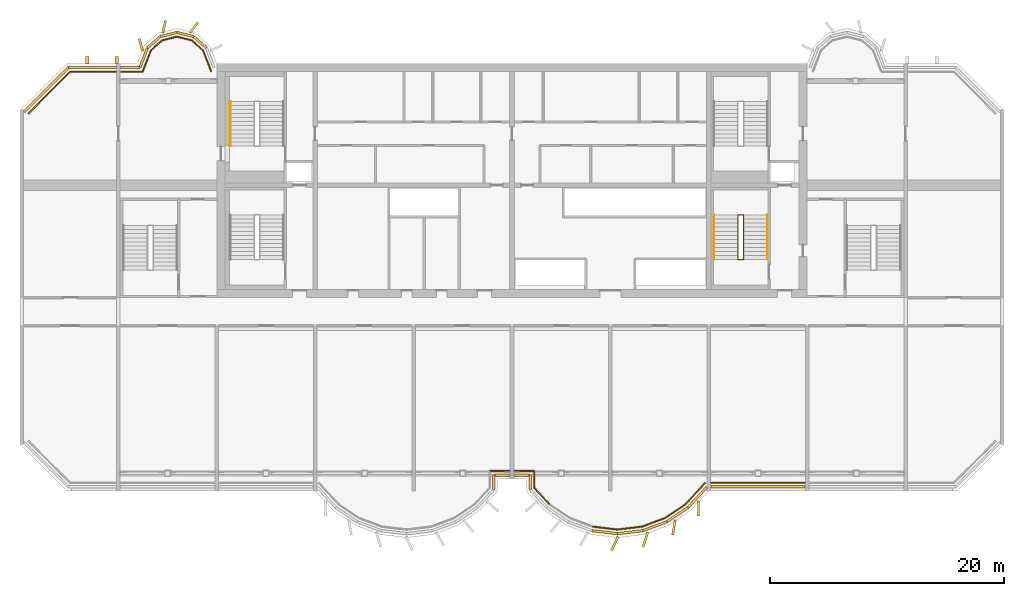
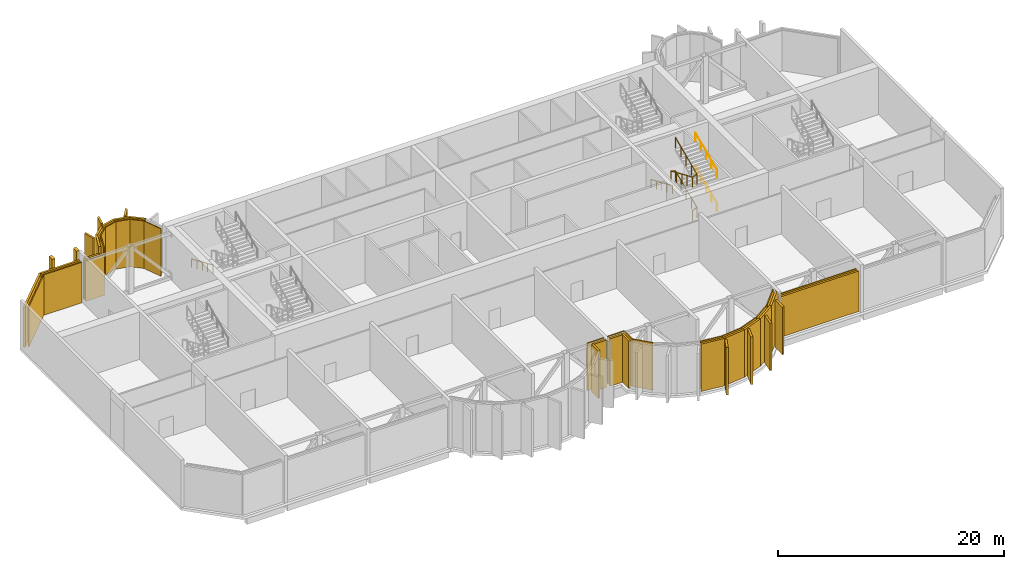
# One storey, part 13 of 15: 28 coverings, 18 shading devices, 5 railings.
"""IFC4 building model written with IfcOpenShell, lengths in metres."""

from ifc_helpers import new_model, si_unit, direction, frame, origin, origin_2d, place, context, subcontext, project, spatial, rectangle, circle, extrude, source, transform, mapped, material, layer, layer_set, material_profile, profile_set, type_object, element, save


model = new_model("IFC4")

# Units and contexts
model_context = context("Model", 3, precision=1e-05, world=origin(), true_north=direction((0.0, 1.0)))
body_context = subcontext(model_context, "Body", "Model", "MODEL_VIEW")
ifc_project = project(units=[si_unit("LENGTHUNIT", "METRE"), si_unit("AREAUNIT", "SQUARE_METRE"), si_unit("VOLUMEUNIT", "CUBIC_METRE"), si_unit("PLANEANGLEUNIT", "RADIAN"), si_unit("MASSUNIT", "GRAM", prefix="KILO")], contexts=[model_context])

# Site, building, storey
site_placement = place(None, origin())
site = spatial("IfcSite", under=ifc_project, at=site_placement, CompositionType="ELEMENT")
building_placement = place(site_placement, origin())
building = spatial("IfcBuilding", under=site, at=building_placement, Name="Vanashikhar Sky Hotel", CompositionType="ELEMENT")
storey_placement = place(building_placement, frame((0.0, 0.0, 201.0)))
storey = spatial("IfcBuildingStorey", under=building, at=storey_placement, Name="L49", CompositionType="ELEMENT", Elevation=201.0)

# Shading devices
ifc_material_1 = material(Name="Aluminium", Category="aluminium")
ifc_layer_1 = layer(ifc_material_1, 0.199951171875)
ifc_layer_set_1 = layer_set([ifc_layer_1], Name="Aluminium louvre band")
shading_device_type = type_object("IfcShadingDeviceType", Name="Aluminium louvre band", PredefinedType="USERDEFINED", material=ifc_layer_set_1)
shared_shape_1 = source(origin(), body_context, "Body", "SweptSolid", [
    extrude(rectangle(XDim=2.1875, YDim=0.199951171875, at=origin_2d()), origin(), (0.0, 0.0, 1.0), 5.1201171875),
])
for number, where, z_axis, x_axis, name in (
    (1, (62.5966796875, 2.4912109375, 0.0), (0.0, 0.0, 1.0), (0.937537254303, 0.347884890149, 0.0), "Louvre band"),
    (2, (64.529541015625, 3.482421875, 0.0), (0.0, 0.0, 1.0), (0.829583722896, 0.558382348132, 0.0), "Louvre band"),
):
    element("IfcShadingDevice", number, at=place(storey_placement, frame(where, z_axis=z_axis, x_axis=x_axis)), inside=storey, type_object=shading_device_type, Name=name, ObjectType="LOUVRE", PredefinedType="USERDEFINED", context=body_context, shape_type="MappedRepresentation", body=[
        mapped(shared_shape_1, transform((0.0, 0.0, 0.0), scale=1.0)),
    ])
shared_shape_2 = source(origin(), body_context, "Body", "SweptSolid", [
    extrude(rectangle(XDim=2.1865234375, YDim=0.199951171875, at=origin_2d()), origin(), (0.0, 0.0, 1.0), 5.1201171875),
])
for number, where, z_axis, x_axis, name in (
    (3, (58.314453125, 1.9814453125, 0.0), (0.0, 0.0, 1.0), (0.993008838731, -0.118040019495, 0.0), "Louvre band"),
    (4, (60.485595703125, 1.9814453125, 0.0), (0.0, 0.0, 1.0), (0.993008838731, 0.118040019495, 0.0), "Louvre band"),
):
    element("IfcShadingDevice", number, at=place(storey_placement, frame(where, z_axis=z_axis, x_axis=x_axis)), inside=storey, type_object=shading_device_type, Name=name, ObjectType="LOUVRE", PredefinedType="USERDEFINED", context=body_context, shape_type="MappedRepresentation", body=[
        mapped(shared_shape_2, transform((0.0, 0.0, 0.0), scale=1.0)),
    ])
shared_shape_3 = source(origin(), body_context, "Body", "SweptSolid", [
    extrude(rectangle(XDim=1.214111328125, YDim=0.199951171875, at=origin_2d()), origin(), (0.0, 0.0, 1.0), 5.1201171875),
])
for number, where, z_axis, x_axis, name in (
    (5, (48.85009765625, 6.242919921875, 0.0), (0.0, 0.0, 1.0), (0.0, 1.0, 0.0), "Louvre band"),
    (6, (51.949951171875, 6.242919921875, 0.0), (0.0, 0.0, 1.0), (0.0, -1.0, 0.0), "Louvre band"),
):
    element("IfcShadingDevice", number, at=place(storey_placement, frame(where, z_axis=z_axis, x_axis=x_axis)), inside=storey, type_object=shading_device_type, Name=name, ObjectType="LOUVRE", PredefinedType="USERDEFINED", context=body_context, shape_type="MappedRepresentation", body=[
        mapped(shared_shape_3, transform((0.0, 0.0, 0.0), scale=1.0)),
    ])
shared_shape_4 = source(origin(), body_context, "Body", "SweptSolid", [
    extrude(rectangle(XDim=1.7900390625, YDim=0.199951171875, at=origin_2d()), origin(), (0.0, 0.0, 1.0), 5.1201171875),
])
shading_device_1_placement = place(storey_placement, frame((18.9609375, 42.485595703125, 0.0), z_axis=(0.0, 0.0, 1.0), x_axis=(-0.35776499493, -0.933811655744, 0.0)))
element("IfcShadingDevice", 7, at=shading_device_1_placement, inside=storey, type_object=shading_device_type, Name="Louvre band", ObjectType="LOUVRE", PredefinedType="USERDEFINED", context=body_context, shape_type="MappedRepresentation", body=[
    mapped(shared_shape_4, transform((0.0, 0.0, 0.0), scale=1.0)),
])
shared_shape_5 = source(origin(), body_context, "Body", "SweptSolid", [
    extrude(rectangle(XDim=1.464599609375, YDim=0.199951171875, at=origin_2d()), origin(), (0.0, 0.0, 1.0), 5.1201171875),
])
for number, where, z_axis, x_axis, name in (
    (8, (23.77001953125, 43.805908203125, 0.0), (0.0, 0.0, 1.0), (-0.749741606437, 0.661730703214, 0.0), "Louvre band"),
    (9, (19.830078125, 43.805908203125, 0.0), (0.0, 0.0, 1.0), (-0.749741606437, -0.661730703214, 0.0), "Louvre band"),
):
    element("IfcShadingDevice", number, at=place(storey_placement, frame(where, z_axis=z_axis, x_axis=x_axis)), inside=storey, type_object=shading_device_type, Name=name, ObjectType="LOUVRE", PredefinedType="USERDEFINED", context=body_context, shape_type="MappedRepresentation", body=[
        mapped(shared_shape_5, transform((0.0, 0.0, 0.0), scale=1.0)),
    ])
shared_shape_6 = source(origin(), body_context, "Body", "SweptSolid", [
    extrude(rectangle(XDim=1.463134765625, YDim=0.199951171875, at=origin_2d()), origin(), (0.0, 0.0, 1.0), 5.1201171875),
])
for number, where, z_axis, x_axis, name in (
    (10, (22.510498046875, 44.465087890625, 0.0), (0.0, 0.0, 1.0), (-0.97113427991, 0.238533457579, 0.0), "Louvre band"),
    (11, (21.089599609375, 44.465087890625, 0.0), (0.0, 0.0, 1.0), (-0.97113427991, -0.238533457579, 0.0), "Louvre band"),
):
    element("IfcShadingDevice", number, at=place(storey_placement, frame(where, z_axis=z_axis, x_axis=x_axis)), inside=storey, type_object=shading_device_type, Name=name, ObjectType="LOUVRE", PredefinedType="USERDEFINED", context=body_context, shape_type="MappedRepresentation", body=[
        mapped(shared_shape_6, transform((0.0, 0.0, 0.0), scale=1.0)),
    ])

# Coverings
ifc_material_2 = material(Name="Concrete M40", Category="concrete")
ifc_layer_2 = layer(ifc_material_2, 0.10009765625)
ifc_layer_set_2 = layer_set([ifc_layer_2], Name="Plant floor cladding panel")
covering_type_1 = type_object("IfcCoveringType", Name="Plant floor cladding panel", PredefinedType="CLADDING", material=ifc_layer_set_2)
shared_shape_7 = source(origin(), body_context, "Body", "SweptSolid", [
    extrude(rectangle(XDim=2.49462890625, YDim=0.10009765625, at=origin_2d()), origin(), (0.0, 0.0, 1.0), 5.1201171875),
])
covering_1_placement = place(storey_placement, frame((66.049560546875, 5.280029296875, 0.0), z_axis=(0.0, 0.0, 1.0), x_axis=(0.675384294604, 0.737465968437, 0.0)))
element("IfcCovering", 12, at=covering_1_placement, inside=storey, type_object=covering_type_1, Name="Plant floor cladding panel", PredefinedType="CLADDING", context=body_context, shape_type="MappedRepresentation", body=[
    mapped(shared_shape_7, transform((0.0, 0.0, 0.0), scale=1.0)),
])
shared_shape_8 = source(origin(), body_context, "Body", "SweptSolid", [
    extrude(rectangle(XDim=2.104248046875, YDim=0.10009765625, at=origin_2d()), origin(), (0.0, 0.0, 1.0), 5.1201171875),
])
covering_2_placement = place(storey_placement, frame((64.333984375, 3.772705078125, 0.0), z_axis=(0.0, 0.0, 1.0), x_axis=(0.829603213612, 0.558353389857, 0.0)))
element("IfcCovering", 13, at=covering_2_placement, inside=storey, type_object=covering_type_1, Name="Plant floor cladding panel", PredefinedType="CLADDING", context=body_context, shape_type="MappedRepresentation", body=[
    mapped(shared_shape_8, transform((0.0, 0.0, 0.0), scale=1.0)),
])
shared_shape_9 = source(origin(), body_context, "Body", "SweptSolid", [
    extrude(rectangle(XDim=2.10400390625, YDim=0.10009765625, at=origin_2d()), origin(), (0.0, 0.0, 1.0), 5.1201171875),
])
covering_3_placement = place(storey_placement, frame((62.474853515625, 2.8193359375, 0.0), z_axis=(0.0, 0.0, 1.0), x_axis=(0.937537254303, 0.347884890149, 0.0)))
element("IfcCovering", 14, at=covering_3_placement, inside=storey, type_object=covering_type_1, Name="Plant floor cladding panel", PredefinedType="CLADDING", context=body_context, shape_type="MappedRepresentation", body=[
    mapped(shared_shape_9, transform((0.0, 0.0, 0.0), scale=1.0)),
])
shared_shape_10 = source(origin(), body_context, "Body", "SweptSolid", [
    extrude(rectangle(XDim=2.103271484375, YDim=0.10009765625, at=origin_2d()), origin(), (0.0, 0.0, 1.0), 5.1201171875),
])
for number, where, z_axis, x_axis, name in (
    (15, (58.355712890625, 2.3291015625, 0.0), (0.0, 0.0, 1.0), (0.993002656809, -0.118092013154, 0.0), "Plant floor cladding panel"),
    (16, (60.4443359375, 2.3291015625, 0.0), (0.0, 0.0, 1.0), (0.993002656809, 0.118092013154, 0.0), "Plant floor cladding panel"),
):
    element("IfcCovering", number, at=place(storey_placement, frame(where, z_axis=z_axis, x_axis=x_axis)), inside=storey, type_object=covering_type_1, Name=name, PredefinedType="CLADDING", context=body_context, shape_type="MappedRepresentation", body=[
        mapped(shared_shape_10, transform((0.0, 0.0, 0.0), scale=1.0)),
    ])
shared_shape_11 = source(origin(), body_context, "Body", "SweptSolid", [
    extrude(rectangle(XDim=1.91455078125, YDim=0.10009765625, at=origin_2d()), origin(), (0.0, 0.0, 1.0), 5.1201171875),
])
covering_4_placement = place(storey_placement, frame((52.946533203125, 5.066162109375, 0.0), z_axis=(0.0, 0.0, 1.0), x_axis=(0.675371423292, -0.737477756004, 0.0)))
element("IfcCovering", 17, at=covering_4_placement, inside=storey, type_object=covering_type_1, Name="Plant floor cladding panel", PredefinedType="CLADDING", context=body_context, shape_type="MappedRepresentation", body=[
    mapped(shared_shape_11, transform((0.0, 0.0, 0.0), scale=1.0)),
])
shared_shape_12 = source(origin(), body_context, "Body", "SweptSolid", [
    extrude(rectangle(XDim=1.427978515625, YDim=0.10009765625, at=origin_2d()), origin(), (0.0, 0.0, 1.0), 5.1201171875),
])
covering_5_placement = place(storey_placement, frame((52.300048828125, 6.486083984375, 0.0), z_axis=(0.0, 0.0, 1.0), x_axis=(0.0, -1.0, 0.0)))
element("IfcCovering", 18, at=covering_5_placement, inside=storey, type_object=covering_type_1, Name="Plant floor cladding panel", PredefinedType="CLADDING", context=body_context, shape_type="MappedRepresentation", body=[
    mapped(shared_shape_12, transform((0.0, 0.0, 0.0), scale=1.0)),
])
shared_shape_13 = source(origin(), body_context, "Body", "SweptSolid", [
    extrude(rectangle(XDim=5.076904296875, YDim=0.10009765625, at=origin_2d()), origin(), (0.0, 0.0, 1.0), 4.3701171875),
])
covering_6_placement = place(storey_placement, frame((10.89501953125, 39.5048828125, 0.0), z_axis=(0.0, 0.0, 1.0), x_axis=(-0.707106781187, -0.707106781187, 0.0)))
element("IfcCovering", 19, at=covering_6_placement, inside=storey, type_object=covering_type_1, Name="Plant floor cladding panel", PredefinedType="CLADDING", context=body_context, shape_type="MappedRepresentation", body=[
    mapped(shared_shape_13, transform((0.0, 0.0, 0.0), scale=1.0)),
])
shared_shape_14 = source(origin(), body_context, "Body", "SweptSolid", [
    extrude(rectangle(XDim=1.944580078125, YDim=0.10009765625, at=origin_2d()), origin(), (0.0, 0.0, 1.0), 5.1201171875),
])
for number, where, z_axis, x_axis, name in (
    (20, (24.37060546875, 42.2080078125, 0.0), (0.0, 0.0, 1.0), (-0.357781292963, 0.933805411425, 0.0), "Plant floor cladding panel"),
    (21, (19.229248046875, 42.2080078125, 0.0), (0.0, 0.0, 1.0), (-0.357781292963, -0.933805411425, 0.0), "Plant floor cladding panel"),
):
    element("IfcCovering", number, at=place(storey_placement, frame(where, z_axis=z_axis, x_axis=x_axis)), inside=storey, type_object=covering_type_1, Name=name, PredefinedType="CLADDING", context=body_context, shape_type="MappedRepresentation", body=[
        mapped(shared_shape_14, transform((0.0, 0.0, 0.0), scale=1.0)),
    ])
shared_shape_15 = source(origin(), body_context, "Body", "SweptSolid", [
    extrude(rectangle(XDim=1.29248046875, YDim=0.10009765625, at=origin_2d()), origin(), (0.0, 0.0, 1.0), 5.1201171875),
])
for number, where, z_axis, x_axis, name in (
    (22, (23.538330078125, 43.543701171875, 0.0), (0.0, 0.0, 1.0), (-0.749683856685, 0.661796127993, 0.0), "Plant floor cladding panel"),
    (23, (20.061767578125, 43.543701171875, 0.0), (0.0, 0.0, 1.0), (-0.749683856685, -0.661796127993, 0.0), "Plant floor cladding panel"),
):
    element("IfcCovering", number, at=place(storey_placement, frame(where, z_axis=z_axis, x_axis=x_axis)), inside=storey, type_object=covering_type_1, Name=name, PredefinedType="CLADDING", context=body_context, shape_type="MappedRepresentation", body=[
        mapped(shared_shape_15, transform((0.0, 0.0, 0.0), scale=1.0)),
    ])
shared_shape_16 = source(origin(), body_context, "Body", "SweptSolid", [
    extrude(rectangle(XDim=1.291015625, YDim=0.10009765625, at=origin_2d()), origin(), (0.0, 0.0, 1.0), 5.1201171875),
])
for number, where, z_axis, x_axis, name in (
    (24, (22.427001953125, 44.125244140625, 0.0), (0.0, 0.0, 1.0), (-0.97115093032, 0.238465659035, 0.0), "Plant floor cladding panel"),
    (25, (21.173095703125, 44.125244140625, 0.0), (0.0, 0.0, 1.0), (-0.97115093032, -0.238465659035, 0.0), "Plant floor cladding panel"),
):
    element("IfcCovering", number, at=place(storey_placement, frame(where, z_axis=z_axis, x_axis=x_axis)), inside=storey, type_object=covering_type_1, Name=name, PredefinedType="CLADDING", context=body_context, shape_type="MappedRepresentation", body=[
        mapped(shared_shape_16, transform((0.0, 0.0, 0.0), scale=1.0)),
    ])
ifc_material_3 = material(Name="Concrete M60 dark", Category="concrete")
ifc_material_profile_1 = material_profile(ifc_material_3, rectangle(XDim=1.10009765625, YDim=0.199951171875, at=origin_2d()))
ifc_profile_set_1 = profile_set([ifc_material_profile_1], Name="Rear lobe fin 1100 x 200")
covering_type_2 = type_object("IfcCoveringType", Name="Rear lobe fin 1100 x 200", PredefinedType="CLADDING", material=ifc_profile_set_1)
shared_shape_17 = source(origin(), body_context, "Body", "SweptSolid", [
    extrude(rectangle(XDim=1.10009765625, YDim=0.199951171875, at=origin_2d()), origin(), (0.0, 0.0, 1.0), 5.1201171875),
])
for number, where, z_axis, x_axis, name in (
    (26, (18.720703125, 43.580078125, 0.0), (0.0, 0.0, 1.0), (-0.262711264409, 0.964874495234, 0.0), "Fin R1-1"),
    (27, (20.710205078125, 45.1455078125, 0.0), (0.0, 0.0, 1.0), (0.224644935864, 0.974440687159, 0.0), "Fin R1-2"),
    (28, (23.261962890625, 45.06640625, 0.0), (0.0, 0.0, 1.0), (0.602065892195, 0.798446404874, 0.0), "Fin R1-3"),
):
    element("IfcCovering", number, at=place(storey_placement, frame(where, z_axis=z_axis, x_axis=x_axis)), inside=storey, type_object=covering_type_2, Name=name, PredefinedType="CLADDING", context=body_context, shape_type="MappedRepresentation", body=[
        mapped(shared_shape_17, transform((0.0, 0.0, 0.0), scale=1.0)),
    ])
ifc_material_profile_2 = material_profile(ifc_material_3, rectangle(XDim=1.300048828125, YDim=0.199951171875, at=origin_2d()))
ifc_profile_set_2 = profile_set([ifc_material_profile_2], Name="Fin 1300 x 200")
covering_type_3 = type_object("IfcCoveringType", Name="Fin 1300 x 200", PredefinedType="CLADDING", material=ifc_profile_set_2)
shared_shape_18 = source(origin(), body_context, "Body", "SweptSolid", [
    extrude(rectangle(XDim=1.300048828125, YDim=0.199951171875, at=origin_2d()), origin(), (0.0, 0.0, 1.0), 5.1201171875),
])
for number, where, z_axis, x_axis, name in (
    (29, (59.16748046875, 1.00146484375, 0.0), (0.0, 0.0, 1.0), (-0.422618261741, -0.906307787037, 0.0), "Fin F2-4"),
    (30, (61.790771484375, 1.35693359375, 0.0), (0.0, 0.0, 1.0), (-0.303966551867, -0.952682704444, 0.0), "Fin F2-5"),
    (31, (64.2275390625, 2.3779296875, 0.0), (0.0, 0.0, 1.0), (-0.16989991575, -0.985461322746, 0.0), "Fin F2-6"),
    (32, (66.317626953125, 3.992919921875, 0.0), (0.0, 0.0, 1.0), (-0.011588726826, -0.999932848451, 0.0), "Fin F2-7"),
):
    element("IfcCovering", number, at=place(storey_placement, frame(where, z_axis=z_axis, x_axis=x_axis)), inside=storey, type_object=covering_type_3, Name=name, PredefinedType="CLADDING", context=body_context, shape_type="MappedRepresentation", body=[
        mapped(shared_shape_18, transform((0.0, 0.0, 0.0), scale=1.0)),
    ])

# Shading devices
shared_shape_19 = source(origin(), body_context, "Body", "SweptSolid", [
    extrude(rectangle(XDim=4.074951171875, YDim=0.199951171875, at=origin_2d()), origin(), (0.0, 0.0, 1.0), 4.3701171875),
])
shading_device_2_placement = place(storey_placement, frame((14.58251953125, 41.64990234375, 0.0), z_axis=(0.0, 0.0, 1.0), x_axis=(-1.0, 0.0, 0.0)))
element("IfcShadingDevice", 33, at=shading_device_2_placement, inside=storey, type_object=shading_device_type, Name="Louvre band", ObjectType="LOUVRE", PredefinedType="USERDEFINED", context=body_context, shape_type="MappedRepresentation", body=[
    mapped(shared_shape_19, transform((0.0, 0.0, 0.0), scale=1.0)),
])
shared_shape_20 = source(origin(), body_context, "Body", "SweptSolid", [
    extrude(rectangle(XDim=8.0400390625, YDim=0.199951171875, at=origin_2d()), origin(), (0.0, 0.0, 1.0), 4.3701171875),
])
shading_device_3_placement = place(storey_placement, frame((71.39990234375, 5.85009765625, 0.0), z_axis=(0.0, 0.0, 1.0), x_axis=(1.0, 0.0, 0.0)))
element("IfcShadingDevice", 34, at=shading_device_3_placement, inside=storey, type_object=shading_device_type, Name="Louvre band", ObjectType="LOUVRE", PredefinedType="USERDEFINED", context=body_context, shape_type="MappedRepresentation", body=[
    mapped(shared_shape_20, transform((0.0, 0.0, 0.0), scale=1.0)),
])
shared_shape_21 = source(origin(), body_context, "Body", "SweptSolid", [
    extrude(rectangle(XDim=2.343994140625, YDim=0.199951171875, at=origin_2d()), origin(), (0.0, 0.0, 1.0), 5.1201171875),
])
shading_device_4_placement = place(storey_placement, frame((66.228515625, 4.95751953125, 0.0), z_axis=(0.0, 0.0, 1.0), x_axis=(0.675358551774, 0.737489543347, 0.0)))
element("IfcShadingDevice", 35, at=shading_device_4_placement, inside=storey, type_object=shading_device_type, Name="Louvre band", ObjectType="LOUVRE", PredefinedType="USERDEFINED", context=body_context, shape_type="MappedRepresentation", body=[
    mapped(shared_shape_21, transform((0.0, 0.0, 0.0), scale=1.0)),
])
shared_shape_22 = source(origin(), body_context, "Body", "SweptSolid", [
    extrude(rectangle(XDim=1.3701171875, YDim=0.199951171875, at=origin_2d()), origin(), (0.0, 0.0, 1.0), 5.1201171875),
])
for number, where, z_axis, x_axis, name in (
    (36, (49.534912109375, 6.85009765625, 0.0), (0.0, 0.0, 1.0), (1.0, 0.0, 0.0), "Louvre band"),
    (37, (51.264892578125, 6.85009765625, 0.0), (0.0, 0.0, 1.0), (1.0, 0.0, 0.0), "Louvre band"),
):
    element("IfcShadingDevice", number, at=place(storey_placement, frame(where, z_axis=z_axis, x_axis=x_axis)), inside=storey, type_object=shading_device_type, Name=name, ObjectType="LOUVRE", PredefinedType="USERDEFINED", context=body_context, shape_type="MappedRepresentation", body=[
        mapped(shared_shape_22, transform((0.0, 0.0, 0.0), scale=1.0)),
    ])
shared_shape_23 = source(origin(), body_context, "Body", "SweptSolid", [
    extrude(rectangle(XDim=5.366943359375, YDim=0.199951171875, at=origin_2d()), origin(), (0.0, 0.0, 1.0), 4.3701171875),
])
shading_device_5_placement = place(storey_placement, frame((10.6474609375, 39.75244140625, 0.0), z_axis=(0.0, 0.0, 1.0), x_axis=(-0.707106781187, -0.707106781187, 0.0)))
element("IfcShadingDevice", 38, at=shading_device_5_placement, inside=storey, type_object=shading_device_type, Name="Louvre band", ObjectType="LOUVRE", PredefinedType="USERDEFINED", context=body_context, shape_type="MappedRepresentation", body=[
    mapped(shared_shape_23, transform((0.0, 0.0, 0.0), scale=1.0)),
])
shared_shape_24 = source(origin(), body_context, "Body", "SweptSolid", [
    extrude(rectangle(XDim=1.66064453125, YDim=0.199951171875, at=origin_2d()), origin(), (0.0, 0.0, 1.0), 4.3701171875),
])
shading_device_6_placement = place(storey_placement, frame((17.810302734375, 41.64990234375, 0.0), z_axis=(0.0, 0.0, 1.0), x_axis=(-1.0, 0.0, 0.0)))
element("IfcShadingDevice", 39, at=shading_device_6_placement, inside=storey, type_object=shading_device_type, Name="Louvre band", ObjectType="LOUVRE", PredefinedType="USERDEFINED", context=body_context, shape_type="MappedRepresentation", body=[
    mapped(shared_shape_24, transform((0.0, 0.0, 0.0), scale=1.0)),
])

# Coverings
shared_shape_25 = source(origin(), body_context, "Body", "SweptSolid", [
    extrude(rectangle(XDim=3.93017578125, YDim=0.10009765625, at=origin_2d()), origin(), (0.0, 0.0, 1.0), 4.3701171875),
])
covering_7_placement = place(storey_placement, frame((14.65478515625, 41.300048828125, 0.0), z_axis=(0.0, 0.0, 1.0), x_axis=(-1.0, 0.0, 0.0)))
element("IfcCovering", 40, at=covering_7_placement, inside=storey, type_object=covering_type_1, Name="Plant floor cladding panel", PredefinedType="CLADDING", context=body_context, shape_type="MappedRepresentation", body=[
    mapped(shared_shape_25, transform((0.0, 0.0, 0.0), scale=1.0)),
])
shared_shape_26 = source(origin(), body_context, "Body", "SweptSolid", [
    extrude(rectangle(XDim=8.0400390625, YDim=0.10009765625, at=origin_2d()), origin(), (0.0, 0.0, 1.0), 4.3701171875),
])
covering_8_placement = place(storey_placement, frame((71.39990234375, 6.199951171875, 0.0), z_axis=(0.0, 0.0, 1.0), x_axis=(1.0, 0.0, 0.0)))
element("IfcCovering", 41, at=covering_8_placement, inside=storey, type_object=covering_type_1, Name="Plant floor cladding panel", PredefinedType="CLADDING", context=body_context, shape_type="MappedRepresentation", body=[
    mapped(shared_shape_26, transform((0.0, 0.0, 0.0), scale=1.0)),
])
shared_shape_27 = source(origin(), body_context, "Body", "SweptSolid", [
    extrude(rectangle(XDim=1.719970703125, YDim=0.10009765625, at=origin_2d()), origin(), (0.0, 0.0, 1.0), 5.1201171875),
])
for number, where, z_axis, x_axis, name in (
    (42, (49.360107421875, 7.199951171875, 0.0), (0.0, 0.0, 1.0), (1.0, 0.0, 0.0), "Plant floor cladding panel"),
    (43, (51.43994140625, 7.199951171875, 0.0), (0.0, 0.0, 1.0), (1.0, 0.0, 0.0), "Plant floor cladding panel"),
):
    element("IfcCovering", number, at=place(storey_placement, frame(where, z_axis=z_axis, x_axis=x_axis)), inside=storey, type_object=covering_type_1, Name=name, PredefinedType="CLADDING", context=body_context, shape_type="MappedRepresentation", body=[
        mapped(shared_shape_27, transform((0.0, 0.0, 0.0), scale=1.0)),
    ])
shared_shape_28 = source(origin(), body_context, "Body", "SweptSolid", [
    extrude(rectangle(XDim=1.9013671875, YDim=0.10009765625, at=origin_2d()), origin(), (0.0, 0.0, 1.0), 4.3701171875),
])
covering_9_placement = place(storey_placement, frame((17.9306640625, 41.300048828125, 0.0), z_axis=(0.0, 0.0, 1.0), x_axis=(-1.0, 0.0, 0.0)))
element("IfcCovering", 44, at=covering_9_placement, inside=storey, type_object=covering_type_1, Name="Plant floor cladding panel", PredefinedType="CLADDING", context=body_context, shape_type="MappedRepresentation", body=[
    mapped(shared_shape_28, transform((0.0, 0.0, 0.0), scale=1.0)),
])
ifc_material_profile_3 = material_profile(ifc_material_3, rectangle(XDim=0.60009765625, YDim=0.300048828125, at=origin_2d()))
ifc_profile_set_3 = profile_set([ifc_material_profile_3], Name="Rear rib 600 x 300")
covering_type_4 = type_object("IfcCoveringType", Name="Rear rib 600 x 300", PredefinedType="CLADDING", material=ifc_profile_set_3)
shared_shape_29 = source(origin(), body_context, "Body", "SweptSolid", [
    extrude(rectangle(XDim=0.60009765625, YDim=0.300048828125, at=origin_2d()), origin(), (0.0, 0.0, 1.0), 5.400146484375),
])
for number, where, z_axis, x_axis, name in (
    (45, (14.14990234375, 42.300048828125, -0.280029296875), (0.0, 0.0, 1.0), (0.0, 1.0, 0.0), "Rear rib"),
    (46, (16.64990234375, 42.300048828125, -0.280029296875), (0.0, 0.0, 1.0), (0.0, 1.0, 0.0), "Rear rib"),
):
    element("IfcCovering", number, at=place(storey_placement, frame(where, z_axis=z_axis, x_axis=x_axis)), inside=storey, type_object=covering_type_4, Name=name, PredefinedType="CLADDING", context=body_context, shape_type="MappedRepresentation", body=[
        mapped(shared_shape_29, transform((0.0, 0.0, 0.0), scale=1.0)),
    ])

# Railings
ifc_material_4 = material(Name="Steel S355", Category="steel")
railing_type_1 = type_object("IfcRailingType", Name="Stair handrail 900", PredefinedType="HANDRAIL", material=ifc_material_4)
shared_shape_30 = source(origin(), body_context, "Body", "SweptSolid", [
    extrude(circle(Radius=0.02392578125, at=origin_2d()), frame((0.0, 0.0, 0.8759765625), z_axis=(0.0, -0.917250781605, 0.398310185215), x_axis=(1.0, 0.0, 0.0)), (0.0, 0.0, 1.0), 4.142822265625),
    extrude(circle(Radius=0.02099609375, at=origin_2d()), origin(), (0.0, 0.0, 1.0), 0.851806640625),
    extrude(circle(Radius=0.02099609375, at=origin_2d()), frame((0.0, -0.949951171875, 0.41259765625)), (0.0, 0.0, 1.0), 0.851806640625),
    extrude(circle(Radius=0.02099609375, at=origin_2d()), frame((0.0, -1.89990234375, 0.8251953125)), (0.0, 0.0, 1.0), 0.851806640625),
    extrude(circle(Radius=0.02099609375, at=origin_2d()), frame((0.0, -2.85009765625, 1.237548828125)), (0.0, 0.0, 1.0), 0.851806640625),
    extrude(circle(Radius=0.02099609375, at=origin_2d()), frame((0.0, -3.800048828125, 1.650146484375)), (0.0, 0.0, 1.0), 0.851806640625),
])
for number, where, name in (
    (47, (67.64990234375, 29.050048828125, 1.949951171875), "Exit stair 2 handrail"),
    (48, (26.35009765625, 38.75, 1.949951171875), "Exit stair 5 handrail"),
):
    element("IfcRailing", number, at=place(storey_placement, frame(where)), inside=storey, type_object=railing_type_1, Name=name, PredefinedType="HANDRAIL", context=body_context, shape_type="MappedRepresentation", body=[
        mapped(shared_shape_30, transform((0.0, 0.0, 0.0), scale=1.0)),
    ])
shared_shape_31 = source(origin(), body_context, "Body", "SweptSolid", [
    extrude(circle(Radius=0.02392578125, at=origin_2d()), frame((0.0, 0.0, 0.8759765625), z_axis=(0.0, 0.917250781605, 0.398310185215), x_axis=(-1.0, 0.0, 0.0)), (0.0, 0.0, 1.0), 4.142822265625),
    extrude(circle(Radius=0.02099609375, at=origin_2d()), origin(), (0.0, 0.0, 1.0), 0.851806640625),
    extrude(circle(Radius=0.02099609375, at=origin_2d()), frame((0.0, 0.949951171875, 0.41259765625)), (0.0, 0.0, 1.0), 0.851806640625),
    extrude(circle(Radius=0.02099609375, at=origin_2d()), frame((0.0, 1.89990234375, 0.8251953125)), (0.0, 0.0, 1.0), 0.851806640625),
    extrude(circle(Radius=0.02099609375, at=origin_2d()), frame((0.0, 2.85009765625, 1.237548828125)), (0.0, 0.0, 1.0), 0.851806640625),
    extrude(circle(Radius=0.02099609375, at=origin_2d()), frame((0.0, 3.800048828125, 1.650146484375)), (0.0, 0.0, 1.0), 0.851806640625),
])
railing_1_placement = place(storey_placement, frame((72.199951171875, 25.25, 0.14990234375)))
element("IfcRailing", 49, at=railing_1_placement, inside=storey, type_object=railing_type_1, Name="Exit stair 2 handrail", PredefinedType="HANDRAIL", context=body_context, shape_type="MappedRepresentation", body=[
    mapped(shared_shape_31, transform((0.0, 0.0, 0.0), scale=1.0)),
])
shared_shape_32 = source(origin(), body_context, "Body", "SweptSolid", [
    extrude(circle(Radius=0.02392578125, at=origin_2d()), frame((0.0, 0.0, 0.8759765625), z_axis=(0.0, 0.91727231099, 0.398260602484), x_axis=(-1.0, 0.0, 0.0)), (0.0, 0.0, 1.0), 4.142822265625),
    extrude(circle(Radius=0.02099609375, at=origin_2d()), origin(), (0.0, 0.0, 1.0), 0.851806640625),
    extrude(circle(Radius=0.02099609375, at=origin_2d()), frame((0.0, 0.949951171875, 0.41259765625)), (0.0, 0.0, 1.0), 0.851806640625),
    extrude(circle(Radius=0.02099609375, at=origin_2d()), frame((0.0, 1.89990234375, 0.824951171875)), (0.0, 0.0, 1.0), 0.851806640625),
    extrude(circle(Radius=0.02099609375, at=origin_2d()), frame((0.0, 2.85009765625, 1.2373046875)), (0.0, 0.0, 1.0), 0.851806640625),
    extrude(circle(Radius=0.02099609375, at=origin_2d()), frame((0.0, 3.800048828125, 1.64990234375)), (0.0, 0.0, 1.0), 0.851806640625),
])
railing_2_placement = place(storey_placement, frame((72.199951171875, 25.25, 3.75)))
element("IfcRailing", 50, at=railing_2_placement, inside=storey, type_object=railing_type_1, Name="Exit stair 2 handrail", PredefinedType="HANDRAIL", context=body_context, shape_type="MappedRepresentation", body=[
    mapped(shared_shape_32, transform((0.0, 0.0, 0.0), scale=1.0)),
])
railing_type_2 = type_object("IfcRailingType", Name="Stair guard 1100", PredefinedType="GUARDRAIL", material=ifc_material_4)
shared_shape_33 = source(origin(), body_context, "Body", "SweptSolid", [
    extrude(circle(Radius=0.02392578125, at=origin_2d()), frame((0.0, 0.0, 1.076171875), z_axis=(0.948734763221, 0.0, 0.316073328604), x_axis=(0.0, 1.0, 0.0)), (0.0, 0.0, 1.0), 0.474365234375),
    extrude(circle(Radius=0.02392578125, at=origin_2d()), frame((0.449951171875, 0.0, 1.22607421875), z_axis=(0.0, 0.917250781605, 0.398310185215), x_axis=(-1.0, 0.0, 0.0)), (0.0, 0.0, 1.0), 4.142822265625),
    extrude(circle(Radius=0.02392578125, at=origin_2d()), frame((0.449951171875, 3.800048828125, 2.8759765625), z_axis=(-0.948734763221, 0.0, 0.316073328604), x_axis=(0.0, -1.0, 0.0)), (0.0, 0.0, 1.0), 0.474365234375),
    extrude(circle(Radius=0.02392578125, at=origin_2d()), frame((0.0, 3.800048828125, 3.02587890625), z_axis=(0.0, -0.917250781605, 0.398310185215), x_axis=(1.0, 0.0, 0.0)), (0.0, 0.0, 1.0), 4.142822265625),
    extrude(circle(Radius=0.02392578125, at=origin_2d()), frame((0.0, 0.0, 4.67626953125), z_axis=(0.948734763221, 0.0, 0.316073328604), x_axis=(0.0, 1.0, 0.0)), (0.0, 0.0, 1.0), 0.474365234375),
    extrude(circle(Radius=0.02392578125, at=origin_2d()), frame((0.449951171875, 0.0, 4.826171875), z_axis=(0.0, 0.91727231099, 0.398260602484), x_axis=(-1.0, 0.0, 0.0)), (0.0, 0.0, 1.0), 4.142822265625),
    extrude(circle(Radius=0.02099609375, at=origin_2d()), origin(), (0.0, 0.0, 1.0), 1.052001953125),
    extrude(circle(Radius=0.02099609375, at=origin_2d()), frame((0.449951171875, 0.0, 0.14990234375)), (0.0, 0.0, 1.0), 1.052001953125),
    extrude(circle(Radius=0.02099609375, at=origin_2d()), frame((0.449951171875, 0.949951171875, 0.5625)), (0.0, 0.0, 1.0), 1.052001953125),
    extrude(circle(Radius=0.02099609375, at=origin_2d()), frame((0.449951171875, 1.89990234375, 0.97509765625)), (0.0, 0.0, 1.0), 1.052001953125),
    extrude(circle(Radius=0.02099609375, at=origin_2d()), frame((0.449951171875, 2.85009765625, 1.387451171875)), (0.0, 0.0, 1.0), 1.052001953125),
    extrude(circle(Radius=0.02099609375, at=origin_2d()), frame((0.449951171875, 3.800048828125, 1.800048828125)), (0.0, 0.0, 1.0), 1.052001953125),
    extrude(circle(Radius=0.02099609375, at=origin_2d()), frame((0.0, 3.800048828125, 1.949951171875)), (0.0, 0.0, 1.0), 1.052001953125),
    extrude(circle(Radius=0.02099609375, at=origin_2d()), frame((0.0, 2.85009765625, 2.362548828125)), (0.0, 0.0, 1.0), 1.052001953125),
    extrude(circle(Radius=0.02099609375, at=origin_2d()), frame((0.0, 1.89990234375, 2.77490234375)), (0.0, 0.0, 1.0), 1.052001953125),
    extrude(circle(Radius=0.02099609375, at=origin_2d()), frame((0.0, 0.949951171875, 3.1875)), (0.0, 0.0, 1.0), 1.052001953125),
    extrude(circle(Radius=0.02099609375, at=origin_2d()), frame((0.0, 0.0, 3.60009765625)), (0.0, 0.0, 1.0), 1.052001953125),
    extrude(circle(Radius=0.02099609375, at=origin_2d()), frame((0.449951171875, 0.0, 3.75)), (0.0, 0.0, 1.0), 1.052001953125),
    extrude(circle(Radius=0.02099609375, at=origin_2d()), frame((0.449951171875, 0.949951171875, 4.16259765625)), (0.0, 0.0, 1.0), 1.052001953125),
    extrude(circle(Radius=0.02099609375, at=origin_2d()), frame((0.449951171875, 1.89990234375, 4.574951171875)), (0.0, 0.0, 1.0), 1.052001953125),
    extrude(circle(Radius=0.02099609375, at=origin_2d()), frame((0.449951171875, 2.85009765625, 4.9873046875)), (0.0, 0.0, 1.0), 1.052001953125),
    extrude(circle(Radius=0.02099609375, at=origin_2d()), frame((0.449951171875, 3.800048828125, 5.39990234375)), (0.0, 0.0, 1.0), 1.052001953125),
])
railing_3_placement = place(storey_placement, frame((69.699951171875, 25.25, 0.0)))
element("IfcRailing", 51, at=railing_3_placement, inside=storey, type_object=railing_type_2, Name="Exit stair 2 guard", PredefinedType="GUARDRAIL", context=body_context, shape_type="MappedRepresentation", body=[
    mapped(shared_shape_33, transform((0.0, 0.0, 0.0), scale=1.0)),
])

save(model, "model.ifc")
